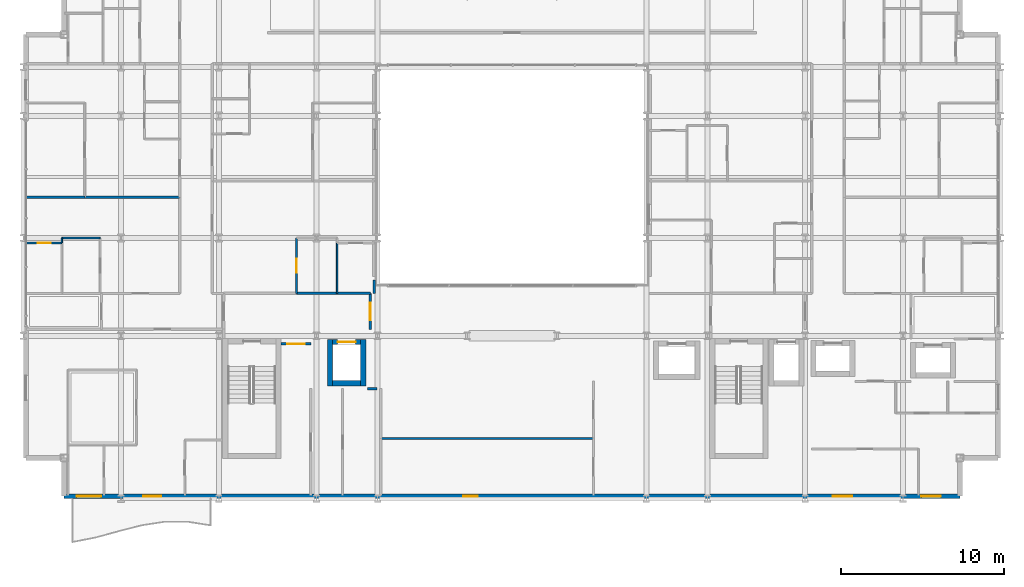
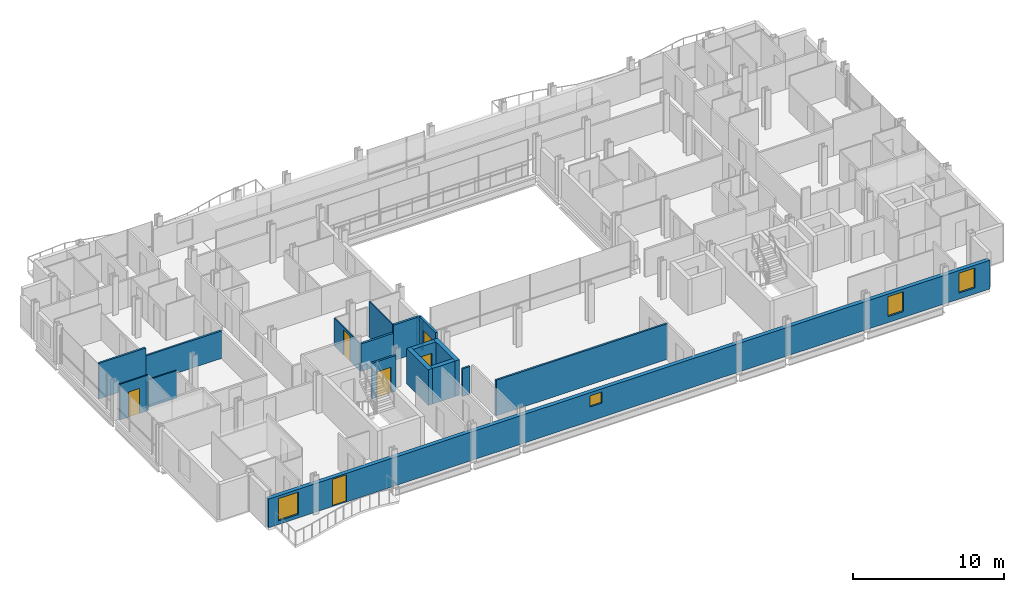
# One storey, part 32 of 41: 19 walls, 6 doors, 4 windows, 10 openings.
"""IFC4 building model written with IfcOpenShell, lengths in metres."""

from ifc_helpers import new_model, si_unit, direction, frame, frame_2d, origin, place, context, subcontext, project, spatial, rectangle, extrude, material, layer, layer_set, type_object, element, fill, save


model = new_model("IFC4")

# Units and contexts
model_context = context("Model", 3, precision=1e-05, world=origin(), true_north=direction((0.0, 1.0)))
body_context = subcontext(model_context, "Body", "Model", "MODEL_VIEW")
ifc_project = project(units=[si_unit("LENGTHUNIT", "METRE"), si_unit("AREAUNIT", "SQUARE_METRE"), si_unit("VOLUMEUNIT", "CUBIC_METRE"), si_unit("PLANEANGLEUNIT", "RADIAN"), si_unit("MASSUNIT", "GRAM", prefix="KILO")], contexts=[model_context])

# Site, building, storey
site_placement = place(None, origin())
site = spatial("IfcSite", under=ifc_project, at=site_placement, CompositionType="ELEMENT")
building_placement = place(site_placement, origin())
building = spatial("IfcBuilding", under=site, at=building_placement, Name="Brevholm Reach", CompositionType="ELEMENT")
storey_placement = place(building_placement, frame((0.0, 0.0, 49.699951171875)))
storey = spatial("IfcBuildingStorey", under=building, at=storey_placement, Name="L13", CompositionType="ELEMENT", Elevation=49.699951171875)

# Walls
ifc_material_1 = material(Name="Concrete C60/75", Category="concrete")
ifc_layer_1 = layer(ifc_material_1, 0.320068359375)
ifc_layer_set_1 = layer_set([ifc_layer_1], Name="Concrete C60/75")
wall_type_1 = type_object("IfcWallType", Name="WAL-COR-320", PredefinedType="SHEAR", material=ifc_layer_set_1)
for number, where, z_axis, x_axis, name in (
    (1, (18.830078125, 6.919921875, 0.0), (0.0, 0.0, 1.0), (0.0, 1.0, 0.0), "L13 Lift FFL-1 Shaft Wall W"),
    (2, (20.8701171875, 6.919921875, 0.0), (0.0, 0.0, 1.0), (0.0, 1.0, 0.0), "L13 Lift FFL-1 Shaft Wall E"),
):
    element("IfcWall", number, at=place(storey_placement, frame(where, z_axis=z_axis, x_axis=x_axis)), inside=storey, type_object=wall_type_1, Name=name, PredefinedType="SHEAR", context=body_context, shape_type="SweptSolid", body=[
        extrude(rectangle(XDim=2.860107421875, YDim=0.320068359375, at=frame_2d((1.43017578125, 0.0))), origin(), (0.0, 0.0, 1.0), 2.8701171875),
    ])
wall_1_placement = place(storey_placement, frame((18.989990234375, 7.080078125, 0.0), z_axis=(0.0, 0.0, 1.0), x_axis=(1.0, 0.0, 0.0)))
element("IfcWall", 3, at=wall_1_placement, inside=storey, type_object=wall_type_1, Name="L13 Lift FFL-1 Shaft Wall S", PredefinedType="SHEAR", context=body_context, shape_type="SweptSolid", body=[
    extrude(rectangle(XDim=1.719970703125, YDim=0.320068359375, at=frame_2d((0.85986328125, 0.0))), origin(), (0.0, 0.0, 1.0), 2.8701171875),
])

# Wall, opening, door
wall_2_placement = place(storey_placement, frame((18.989990234375, 9.6201171875, 0.0), z_axis=(0.0, 0.0, 1.0), x_axis=(1.0, 0.0, 0.0)))
wall_2 = element("IfcWall", 4, at=wall_2_placement, inside=storey, type_object=wall_type_1, Name="L13 Lift FFL-1 Shaft Wall N", PredefinedType="SHEAR", context=body_context, shape_type="SweptSolid", body=[
    extrude(rectangle(XDim=1.719970703125, YDim=0.320068359375, at=frame_2d((0.85986328125, 0.0))), origin(), (0.0, 0.0, 1.0), 2.8701171875),
])
opening_1_placement = place(wall_2_placement, frame((0.31005859375, 0.0, 0.0)))
opening_1 = element("IfcOpeningElement", 5, at=opening_1_placement, cuts=wall_2, Name="Opening LD-FFL-1", PredefinedType="OPENING", context=body_context, shape_type="SweptSolid", body=[
    extrude(rectangle(XDim=1.10009765625, YDim=2.06005859375, at=frame_2d((0.550048828125, 1.030029296875))), frame((0.0, 0.169921875, 0.0), z_axis=(0.0, -1.0, 0.0), x_axis=(1.0, 0.0, 0.0)), (0.0, 0.0, 1.0), 0.340087890625),
])
ifc_material_2 = material(Name="Brushed Stainless Steel Fire-Rated Sliding Lift Door", Category="steel")
door_type_1 = type_object("IfcDoorType", Name="DOR-LFT-1100", OperationType="NOTDEFINED", PredefinedType="DOOR", material=ifc_material_2)
door_1_placement = place(opening_1_placement, origin())
door_1 = element("IfcDoor", 6, at=door_1_placement, inside=storey, type_object=door_type_1, Name="L13 Lift FFL-1 Sliding Landing Door", OperationType="SLIDING_TO_LEFT", OverallHeight=2.06005859375, OverallWidth=1.10009765625, PredefinedType="DOOR", context=body_context, shape_type="SweptSolid", body=[
    extrude(rectangle(XDim=1.10009765625, YDim=2.06005859375, at=frame_2d((0.550048828125, 1.030029296875))), frame((0.0, 0.02490234375, 0.0), z_axis=(0.0, -1.0, 0.0), x_axis=(1.0, 0.0, 0.0)), (0.0, 0.0, 1.0), 0.050048828125),
])
fill(opening_1, door_1)

# Wall, openings, door, windows
ifc_material_3 = material(Name="Concrete C40/50", Category="concrete")
ifc_layer_2 = layer(ifc_material_3, 0.300048828125)
ifc_layer_set_2 = layer_set([ifc_layer_2], Name="Concrete C40/50")
wall_type_2 = type_object("IfcWallType", Name="WAL-EXT-300", PredefinedType="STANDARD", material=ifc_layer_set_2)
wall_3_placement = place(storey_placement, frame((2.5, 0.14990234375, 0.0), z_axis=(0.0, 0.0, 1.0), x_axis=(1.0, 0.0, 0.0)))
wall_3 = element("IfcWall", 7, at=wall_3_placement, inside=storey, type_object=wall_type_2, Name="L13 Facade Wall WAL-L13-S", PredefinedType="STANDARD", context=body_context, shape_type="SweptSolid", body=[
    extrude(rectangle(XDim=55.0, YDim=0.300048828125, at=frame_2d((27.5, 0.0))), origin(), (0.0, 0.0, 1.0), 2.3056640625),
])
opening_2_placement = place(wall_3_placement, frame((4.85009765625, 0.0, 0.0)))
opening_2 = element("IfcOpeningElement", 8, at=opening_2_placement, cuts=wall_3, Name="Opening BD-01", PredefinedType="OPENING", context=body_context, shape_type="SweptSolid", body=[
    extrude(rectangle(XDim=1.10009765625, YDim=2.199951171875, at=frame_2d((0.550048828125, 1.10009765625))), frame((0.0, 0.159912109375, 0.0), z_axis=(0.0, -1.0, 0.0), x_axis=(1.0, 0.0, 0.0)), (0.0, 0.0, 1.0), 0.320068359375),
])
opening_3_placement = place(wall_3_placement, frame((0.76708984375, 0.0, 0.284912109375)))
opening_3 = element("IfcOpeningElement", 9, at=opening_3_placement, cuts=wall_3, Name="Opening WN-05", PredefinedType="OPENING", context=body_context, shape_type="SweptSolid", body=[
    extrude(rectangle(XDim=1.5, YDim=1.800048828125, at=frame_2d((0.75, 0.89990234375))), frame((0.0, 0.159912109375, 0.0), z_axis=(0.0, -1.0, 0.0), x_axis=(1.0, 0.0, 0.0)), (0.0, 0.0, 1.0), 0.320068359375),
])
opening_4_placement = place(wall_3_placement, frame((24.5, 0.0, 1.14990234375)))
opening_4 = element("IfcOpeningElement", 10, at=opening_4_placement, cuts=wall_3, Name="Opening WN-09", PredefinedType="OPENING", context=body_context, shape_type="SweptSolid", body=[
    extrude(rectangle(XDim=0.89990234375, YDim=0.89990234375, at=frame_2d((0.449951171875, 0.449951171875))), frame((0.0, 0.159912109375, 0.0), z_axis=(0.0, -1.0, 0.0), x_axis=(1.0, 0.0, 0.0)), (0.0, 0.0, 1.0), 0.320068359375),
])
opening_5_placement = place(wall_3_placement, frame((47.199951171875, 0.0, 0.485107421875)))
opening_5 = element("IfcOpeningElement", 11, at=opening_5_placement, cuts=wall_3, Name="Opening WN-08", PredefinedType="OPENING", context=body_context, shape_type="SweptSolid", body=[
    extrude(rectangle(XDim=1.199951171875, YDim=1.60009765625, at=frame_2d((0.60009765625, 0.800048828125))), frame((0.0, 0.159912109375, 0.0), z_axis=(0.0, -1.0, 0.0), x_axis=(1.0, 0.0, 0.0)), (0.0, 0.0, 1.0), 0.320068359375),
])
opening_6_placement = place(wall_3_placement, frame((52.6298828125, 0.0, 0.485107421875)))
opening_6 = element("IfcOpeningElement", 12, at=opening_6_placement, cuts=wall_3, Name="Opening WN-08", PredefinedType="OPENING", context=body_context, shape_type="SweptSolid", body=[
    extrude(rectangle(XDim=1.199951171875, YDim=1.60009765625, at=frame_2d((0.60009765625, 0.800048828125))), frame((0.0, 0.159912109375, 0.0), z_axis=(0.0, -1.0, 0.0), x_axis=(1.0, 0.0, 0.0)), (0.0, 0.0, 1.0), 0.320068359375),
])
ifc_material_4 = material(Name="Dark Anodised Aluminium and Triple-Glazed Glass", Category="aluminium")
door_type_2 = type_object("IfcDoorType", Name="DOR-BALC-1100", OperationType="NOTDEFINED", PredefinedType="DOOR", material=ifc_material_4)
door_2_placement = place(opening_2_placement, origin())
door_2 = element("IfcDoor", 13, at=door_2_placement, inside=storey, type_object=door_type_2, Name="L13 Exterior Door DOR-L13-BL-SW", OperationType="SINGLE_SWING_LEFT", OverallHeight=2.199951171875, OverallWidth=1.10009765625, PredefinedType="DOOR", context=body_context, shape_type="SweptSolid", body=[
    extrude(rectangle(XDim=1.10009765625, YDim=2.199951171875, at=frame_2d((0.550048828125, 1.10009765625))), frame((0.0, 0.02490234375, 0.0), z_axis=(0.0, -1.0, 0.0), x_axis=(1.0, 0.0, 0.0)), (0.0, 0.0, 1.0), 0.050048828125),
])
fill(opening_2, door_2)
ifc_material_5 = material(Name="Dark Anodised Aluminium and Solar-Control IGU Glass", Category="aluminium")
window_type_1 = type_object("IfcWindowType", Name="WIN-POR-0900", PartitioningType="SINGLE_PANEL", PredefinedType="WINDOW", material=ifc_material_5)
window_1_placement = place(opening_4_placement, origin())
window_1 = element("IfcWindow", 14, at=window_1_placement, inside=storey, type_object=window_type_1, Name="L13 Window WIN-L13-S-POR", OverallHeight=0.89990234375, OverallWidth=0.89990234375, PartitioningType="SINGLE_PANEL", PredefinedType="WINDOW", context=body_context, shape_type="SweptSolid", body=[
    extrude(rectangle(XDim=0.89990234375, YDim=0.89990234375, at=frame_2d((0.449951171875, 0.449951171875))), frame((0.0, 0.030029296875, 0.0), z_axis=(0.0, -1.0, 0.0), x_axis=(1.0, 0.0, 0.0)), (0.0, 0.0, 1.0), 0.06005859375),
])
fill(opening_4, window_1)
ifc_material_6 = material(Name="Dark Anodised Aluminium and Solar-Control IGU Glass", Category="aluminium")
window_type_2 = type_object("IfcWindowType", Name="WIN-RES-1200", PartitioningType="SINGLE_PANEL", PredefinedType="WINDOW", material=ifc_material_6)
window_2_placement = place(opening_5_placement, origin())
window_2 = element("IfcWindow", 15, at=window_2_placement, inside=storey, type_object=window_type_2, Name="L13 Window WIN-L13-S-E1", OverallHeight=1.60009765625, OverallWidth=1.199951171875, PartitioningType="SINGLE_PANEL", PredefinedType="WINDOW", context=body_context, shape_type="SweptSolid", body=[
    extrude(rectangle(XDim=1.199951171875, YDim=1.60009765625, at=frame_2d((0.60009765625, 0.800048828125))), frame((0.0, 0.030029296875, 0.0), z_axis=(0.0, -1.0, 0.0), x_axis=(1.0, 0.0, 0.0)), (0.0, 0.0, 1.0), 0.06005859375),
])
fill(opening_5, window_2)
window_3_placement = place(opening_6_placement, origin())
window_3 = element("IfcWindow", 16, at=window_3_placement, inside=storey, type_object=window_type_2, Name="L13 Window WIN-L13-S-E2", OverallHeight=1.60009765625, OverallWidth=1.199951171875, PartitioningType="SINGLE_PANEL", PredefinedType="WINDOW", context=body_context, shape_type="SweptSolid", body=[
    extrude(rectangle(XDim=1.199951171875, YDim=1.60009765625, at=frame_2d((0.60009765625, 0.800048828125))), frame((0.0, 0.030029296875, 0.0), z_axis=(0.0, -1.0, 0.0), x_axis=(1.0, 0.0, 0.0)), (0.0, 0.0, 1.0), 0.06005859375),
])
fill(opening_6, window_3)
ifc_material_7 = material(Name="Dark Anodised Aluminium and Solar-Control IGU Glass", Category="aluminium")
window_type_3 = type_object("IfcWindowType", Name="WIN-RES-1500", PartitioningType="SINGLE_PANEL", PredefinedType="WINDOW", material=ifc_material_7)
window_4_placement = place(opening_3_placement, origin())
window_4 = element("IfcWindow", 17, at=window_4_placement, inside=storey, type_object=window_type_3, Name="L13 Window WIN-L13-S-W1", OverallHeight=1.800048828125, OverallWidth=1.5, PartitioningType="SINGLE_PANEL", PredefinedType="WINDOW", context=body_context, shape_type="SweptSolid", body=[
    extrude(rectangle(XDim=1.5, YDim=1.800048828125, at=frame_2d((0.75, 0.89990234375))), frame((0.0, 0.030029296875, 0.0), z_axis=(0.0, -1.0, 0.0), x_axis=(1.0, 0.0, 0.0)), (0.0, 0.0, 1.0), 0.06005859375),
])
fill(opening_3, window_4)

# Wall, opening, door
ifc_material_8 = material(Name="Moisture-Resistant Acoustic Gypsum Stud Partition 100 mm", Category="gypsum")
ifc_layer_3 = layer(ifc_material_8, 0.10009765625)
ifc_layer_set_3 = layer_set([ifc_layer_3], Name="Moisture-Resistant Acoustic Gypsum Stud Partition 100 mm")
wall_type_3 = type_object("IfcWallType", Name="WAL-PRT-100", PredefinedType="PARTITIONING", material=ifc_layer_set_3)
wall_4_placement = place(storey_placement, frame((0.199951171875, 15.699951171875, 0.0), z_axis=(0.0, 0.0, 1.0), x_axis=(1.0, 0.0, 0.0)))
wall_4 = element("IfcWall", 18, at=wall_4_placement, inside=storey, type_object=wall_type_3, Name="L13 Internal Partition 076", PredefinedType="PARTITIONING", context=body_context, shape_type="SweptSolid", body=[
    extrude(rectangle(XDim=2.162109375, YDim=0.10009765625, at=frame_2d((1.0810546875, 0.0))), origin(), (0.0, 0.0, 1.0), 2.8701171875),
])
opening_7_placement = place(wall_4_placement, frame((0.6708984375, 0.0, 0.0)))
opening_7 = element("IfcOpeningElement", 19, at=opening_7_placement, cuts=wall_4, Name="Opening ID-03", PredefinedType="OPENING", context=body_context, shape_type="SweptSolid", body=[
    extrude(rectangle(XDim=0.820068359375, YDim=2.02001953125, at=frame_2d((0.41015625, 1.010009765625))), frame((0.0, 0.06005859375, 0.0), z_axis=(0.0, -1.0, 0.0), x_axis=(1.0, 0.0, 0.0)), (0.0, 0.0, 1.0), 0.1201171875),
])
ifc_material_9 = material(Name="Moisture-Resistant Painted Timber Internal Bathroom Door", Category="wood")
door_type_3 = type_object("IfcDoorType", Name="DOR-BATH-820", OperationType="NOTDEFINED", PredefinedType="DOOR", material=ifc_material_9)
door_3_placement = place(opening_7_placement, origin())
door_3 = element("IfcDoor", 20, at=door_3_placement, inside=storey, type_object=door_type_3, Name="L13 Internal Door 030", OperationType="SINGLE_SWING_LEFT", OverallHeight=2.02001953125, OverallWidth=0.820068359375, PredefinedType="DOOR", context=body_context, shape_type="SweptSolid", body=[
    extrude(rectangle(XDim=0.820068359375, YDim=2.02001953125, at=frame_2d((0.41015625, 1.010009765625))), frame((0.0, 0.02490234375, 0.0), z_axis=(0.0, -1.0, 0.0), x_axis=(1.0, 0.0, 0.0)), (0.0, 0.0, 1.0), 0.050048828125),
])
fill(opening_7, door_3)

# Walls
wall_5_placement = place(storey_placement, frame((2.362060546875, 16.0, 0.0), z_axis=(0.0, 0.0, 1.0), x_axis=(1.0, 0.0, 0.0)))
element("IfcWall", 21, at=wall_5_placement, inside=storey, type_object=wall_type_3, Name="L13 Internal Partition 078", PredefinedType="PARTITIONING", context=body_context, shape_type="SweptSolid", body=[
    extrude(rectangle(XDim=2.349853515625, YDim=0.10009765625, at=frame_2d((1.1748046875, 0.0))), origin(), (0.0, 0.0, 1.0), 2.224853515625),
])
wall_6_placement = place(storey_placement, frame((2.362060546875, 15.7041015625, 0.0), z_axis=(0.0, 0.0, 1.0), x_axis=(0.0, 1.0, 0.0)))
element("IfcWall", 22, at=wall_6_placement, inside=storey, type_object=wall_type_3, Name="L13 Internal Partition 079", PredefinedType="PARTITIONING", context=body_context, shape_type="SweptSolid", body=[
    extrude(rectangle(XDim=0.2958984375, YDim=0.10009765625, at=frame_2d((0.14794921875, 0.0))), origin(), (0.0, 0.0, 1.0), 2.224853515625),
])
wall_7_placement = place(storey_placement, frame((19.260986328125, 12.60400390625, 0.0), z_axis=(0.0, 0.0, 1.0), x_axis=(0.0, 1.0, 0.0)))
element("IfcWall", 23, at=wall_7_placement, inside=storey, type_object=wall_type_3, Name="L13 Internal Partition 093", PredefinedType="PARTITIONING", context=body_context, shape_type="SweptSolid", body=[
    extrude(rectangle(XDim=3.095947265625, YDim=0.10009765625, at=frame_2d((1.5478515625, 0.0))), origin(), (0.0, 0.0, 1.0), 2.8701171875),
])

# Wall, opening, door
wall_8_placement = place(storey_placement, frame((16.77294921875, 12.60400390625, 0.0), z_axis=(0.0, 0.0, 1.0), x_axis=(0.0, 1.0, 0.0)))
wall_8 = element("IfcWall", 24, at=wall_8_placement, inside=storey, type_object=wall_type_3, Name="L13 Internal Partition 097", PredefinedType="PARTITIONING", context=body_context, shape_type="SweptSolid", body=[
    extrude(rectangle(XDim=3.39599609375, YDim=0.10009765625, at=frame_2d((1.697998046875, 0.0))), origin(), (0.0, 0.0, 1.0), 2.224853515625),
])
opening_8_placement = place(wall_8_placement, frame((1.258056640625, 0.0, 0.0)))
opening_8 = element("IfcOpeningElement", 25, at=opening_8_placement, cuts=wall_8, Name="Opening ID-01", PredefinedType="OPENING", context=body_context, shape_type="SweptSolid", body=[
    extrude(rectangle(XDim=0.8798828125, YDim=2.0400390625, at=frame_2d((0.43994140625, 1.02001953125))), frame((0.0, 0.06005859375, 0.0), z_axis=(0.0, -1.0, 0.0), x_axis=(1.0, 0.0, 0.0)), (0.0, 0.0, 1.0), 0.1201171875),
])
ifc_material_10 = material(Name="Lacquered Ash Solid-Core Acoustic Internal Door", Category="timber")
door_type_4 = type_object("IfcDoorType", Name="DOR-INT-880", OperationType="NOTDEFINED", PredefinedType="DOOR", material=ifc_material_10)
door_4_placement = place(opening_8_placement, origin())
door_4 = element("IfcDoor", 26, at=door_4_placement, inside=storey, type_object=door_type_4, Name="L13 Internal Door 036", OperationType="SINGLE_SWING_LEFT", OverallHeight=2.0400390625, OverallWidth=0.8798828125, PredefinedType="DOOR", context=body_context, shape_type="SweptSolid", body=[
    extrude(rectangle(XDim=0.8798828125, YDim=2.0400390625, at=frame_2d((0.43994140625, 1.02001953125))), frame((0.0, 0.02490234375, 0.0), z_axis=(0.0, -1.0, 0.0), x_axis=(1.0, 0.0, 0.0)), (0.0, 0.0, 1.0), 0.050048828125),
])
fill(opening_8, door_4)

# Walls
ifc_material_11 = material(Name="Twin-Stud Acoustic Fire-Rated Gypsum Partition 140 mm", Category="gypsum")
ifc_layer_4 = layer(ifc_material_11, 0.139892578125)
ifc_layer_set_4 = layer_set([ifc_layer_4], Name="Twin-Stud Acoustic Fire-Rated Gypsum Partition 140 mm")
wall_type_4 = type_object("IfcWallType", Name="WAL-PRT-140", PredefinedType="PARTITIONING", material=ifc_layer_set_4)
wall_9_placement = place(storey_placement, frame((21.949951171875, 3.699951171875, 0.0), z_axis=(0.0, 0.0, 1.0), x_axis=(1.0, 0.0, 0.0)))
element("IfcWall", 27, at=wall_9_placement, inside=storey, type_object=wall_type_4, Name="L13 Internal Partition 003", PredefinedType="PARTITIONING", context=body_context, shape_type="SweptSolid", body=[
    extrude(rectangle(XDim=13.046142578125, YDim=0.139892578125, at=frame_2d((6.52294921875, 0.0))), origin(), (0.0, 0.0, 1.0), 2.8701171875),
])
wall_10_placement = place(storey_placement, frame((0.199951171875, 18.5, 0.0), z_axis=(0.0, 0.0, 1.0), x_axis=(1.0, 0.0, 0.0)))
element("IfcWall", 28, at=wall_10_placement, inside=storey, type_object=wall_type_4, Name="L13 Internal Partition 080", PredefinedType="PARTITIONING", context=body_context, shape_type="SweptSolid", body=[
    extrude(rectangle(XDim=3.583251953125, YDim=0.139892578125, at=frame_2d((1.79150390625, 0.0))), origin(), (0.0, 0.0, 1.0), 2.8701171875),
])
wall_11_placement = place(storey_placement, frame((3.7646484375, 18.5, 0.0), z_axis=(0.0, 0.0, 1.0), x_axis=(1.0, 0.0, 0.0)))
element("IfcWall", 29, at=wall_11_placement, inside=storey, type_object=wall_type_4, Name="L13 Internal Partition 081", PredefinedType="PARTITIONING", context=body_context, shape_type="SweptSolid", body=[
    extrude(rectangle(XDim=5.831298828125, YDim=0.139892578125, at=frame_2d((2.91552734375, 0.0))), origin(), (0.0, 0.0, 1.0), 2.224853515625),
])
wall_12_placement = place(storey_placement, frame((21.12158203125, 6.75, 0.0), z_axis=(0.0, 0.0, 1.0), x_axis=(1.0, 0.0, 0.0)))
element("IfcWall", 30, at=wall_12_placement, inside=storey, type_object=wall_type_4, Name="L13 Internal Partition 150", PredefinedType="PARTITIONING", context=body_context, shape_type="SweptSolid", body=[
    extrude(rectangle(XDim=0.58837890625, YDim=0.139892578125, at=frame_2d((0.294189453125, 0.0))), origin(), (0.0, 0.0, 1.0), 2.224853515625),
])
wall_13_placement = place(storey_placement, frame((21.550048828125, 12.60400390625, 0.0), z_axis=(0.0, 0.0, 1.0), x_axis=(0.0, 1.0, 0.0)))
element("IfcWall", 31, at=wall_13_placement, inside=storey, type_object=wall_type_4, Name="L13 Internal Partition 151", PredefinedType="PARTITIONING", context=body_context, shape_type="SweptSolid", body=[
    extrude(rectangle(XDim=0.811279296875, YDim=0.139892578125, at=frame_2d((0.40576171875, 0.0))), origin(), (0.0, 0.0, 1.0), 2.224853515625),
])

# Wall, opening, door
ifc_material_12 = material(Name="Twin-Frame Fire-Rated Gypsum Board and Mineral Wool 160 mm", Category="gypsum")
ifc_layer_5 = layer(ifc_material_12, 0.159912109375)
ifc_layer_set_5 = layer_set([ifc_layer_5], Name="Twin-Frame Fire-Rated Gypsum Board and Mineral Wool 160 mm")
wall_type_5 = type_object("IfcWallType", Name="WAL-PRT-160", PredefinedType="PARTITIONING", material=ifc_layer_set_5)
wall_14_placement = place(storey_placement, frame((15.830078125, 9.5, 0.0), z_axis=(0.0, 0.0, 1.0), x_axis=(1.0, 0.0, 0.0)))
wall_14 = element("IfcWall", 32, at=wall_14_placement, inside=storey, type_object=wall_type_5, Name="L13 Internal Partition 007", PredefinedType="PARTITIONING", context=body_context, shape_type="SweptSolid", body=[
    extrude(rectangle(XDim=1.81982421875, YDim=0.159912109375, at=frame_2d((0.909912109375, 0.0))), origin(), (0.0, 0.0, 1.0), 2.8701171875),
])
opening_9_placement = place(wall_14_placement, frame((0.385009765625, 0.0, 0.0)))
opening_9 = element("IfcOpeningElement", 33, at=opening_9_placement, cuts=wall_14, Name="Opening FD-01", PredefinedType="OPENING", context=body_context, shape_type="SweptSolid", body=[
    extrude(rectangle(XDim=1.050048828125, YDim=2.06005859375, at=frame_2d((0.52490234375, 1.030029296875))), frame((0.0, 0.08984375, 0.0), z_axis=(0.0, -1.0, 0.0), x_axis=(1.0, 0.0, 0.0)), (0.0, 0.0, 1.0), 0.179931640625),
])
ifc_material_13 = material(Name="Hardwood-Lipped Steel-Core Fire and Smoke Door", Category="steel")
door_type_5 = type_object("IfcDoorType", Name="DOR-INT-FD60S", OperationType="NOTDEFINED", PredefinedType="DOOR", material=ifc_material_13)
door_5_placement = place(opening_9_placement, origin())
door_5 = element("IfcDoor", 34, at=door_5_placement, inside=storey, type_object=door_type_5, Name="L13 Internal Door 004", OperationType="SINGLE_SWING_LEFT", OverallHeight=2.06005859375, OverallWidth=1.050048828125, PredefinedType="DOOR", context=body_context, shape_type="SweptSolid", body=[
    extrude(rectangle(XDim=1.050048828125, YDim=2.06005859375, at=frame_2d((0.52490234375, 1.030029296875))), frame((0.0, 0.02490234375, 0.0), z_axis=(0.0, -1.0, 0.0), x_axis=(1.0, 0.0, 0.0)), (0.0, 0.0, 1.0), 0.050048828125),
])
fill(opening_9, door_5)

wall_15_placement = place(storey_placement, frame((21.300048828125, 10.388671875, 0.0), z_axis=(0.0, 0.0, 1.0), x_axis=(0.0, 1.0, 0.0)))
wall_15 = element("IfcWall", 35, at=wall_15_placement, inside=storey, type_object=wall_type_5, Name="L13 Internal Partition 014", PredefinedType="PARTITIONING", context=body_context, shape_type="SweptSolid", body=[
    extrude(rectangle(XDim=2.21142578125, YDim=0.159912109375, at=frame_2d((1.105712890625, 0.0))), origin(), (0.0, 0.0, 1.0), 2.8701171875),
])
opening_10_placement = place(wall_15_placement, frame((0.58056640625, 0.0, 0.0)))
opening_10 = element("IfcOpeningElement", 36, at=opening_10_placement, cuts=wall_15, Name="Opening FD-01", PredefinedType="OPENING", context=body_context, shape_type="SweptSolid", body=[
    extrude(rectangle(XDim=1.050048828125, YDim=2.06005859375, at=frame_2d((0.52490234375, 1.030029296875))), frame((0.0, 0.08984375, 0.0), z_axis=(0.0, -1.0, 0.0), x_axis=(1.0, 0.0, 0.0)), (0.0, 0.0, 1.0), 0.179931640625),
])
door_6_placement = place(opening_10_placement, origin())
door_6 = element("IfcDoor", 37, at=door_6_placement, inside=storey, type_object=door_type_5, Name="L13 Internal Door 009", OperationType="SINGLE_SWING_RIGHT", OverallHeight=2.06005859375, OverallWidth=1.050048828125, PredefinedType="DOOR", context=body_context, shape_type="SweptSolid", body=[
    extrude(rectangle(XDim=1.050048828125, YDim=2.06005859375, at=frame_2d((0.52490234375, 1.030029296875))), frame((0.0, 0.02490234375, 0.0), z_axis=(0.0, -1.0, 0.0), x_axis=(1.0, 0.0, 0.0)), (0.0, 0.0, 1.0), 0.050048828125),
])
fill(opening_10, door_6)

# Walls
wall_16_placement = place(storey_placement, frame((19.249755859375, 12.60009765625, 0.0), z_axis=(0.0, 0.0, 1.0), x_axis=(1.0, 0.0, 0.0)))
element("IfcWall", 38, at=wall_16_placement, inside=storey, type_object=wall_type_5, Name="L13 Internal Partition 016", PredefinedType="PARTITIONING", context=body_context, shape_type="SweptSolid", body=[
    extrude(rectangle(XDim=2.05029296875, YDim=0.159912109375, at=frame_2d((1.025146484375, 0.0))), origin(), (0.0, 0.0, 1.0), 2.8701171875),
])
wall_17_placement = place(storey_placement, frame((16.76171875, 12.60009765625, 0.0), z_axis=(0.0, 0.0, 1.0), x_axis=(1.0, 0.0, 0.0)))
element("IfcWall", 39, at=wall_17_placement, inside=storey, type_object=wall_type_5, Name="L13 Internal Partition 017", PredefinedType="PARTITIONING", context=body_context, shape_type="SweptSolid", body=[
    extrude(rectangle(XDim=2.506591796875, YDim=0.159912109375, at=frame_2d((1.25341796875, 0.0))), origin(), (0.0, 0.0, 1.0), 2.224853515625),
])

save(model, "model.ifc")
